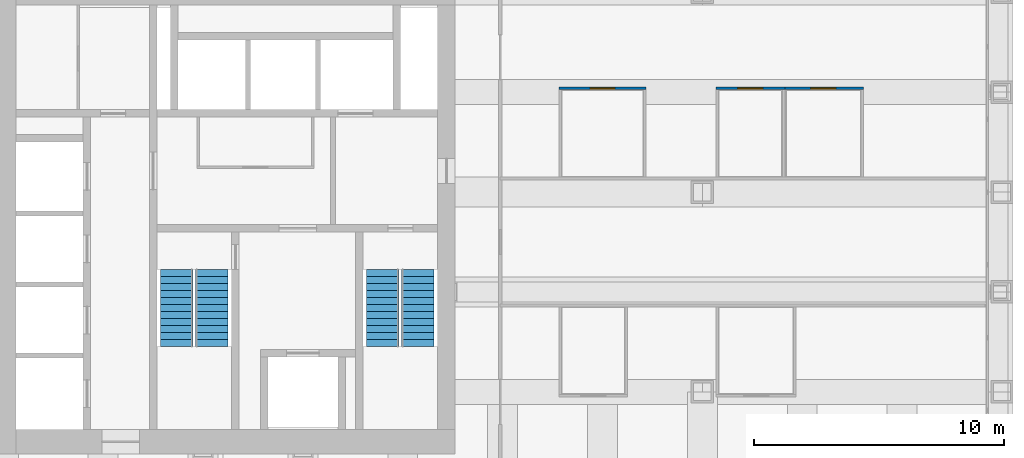
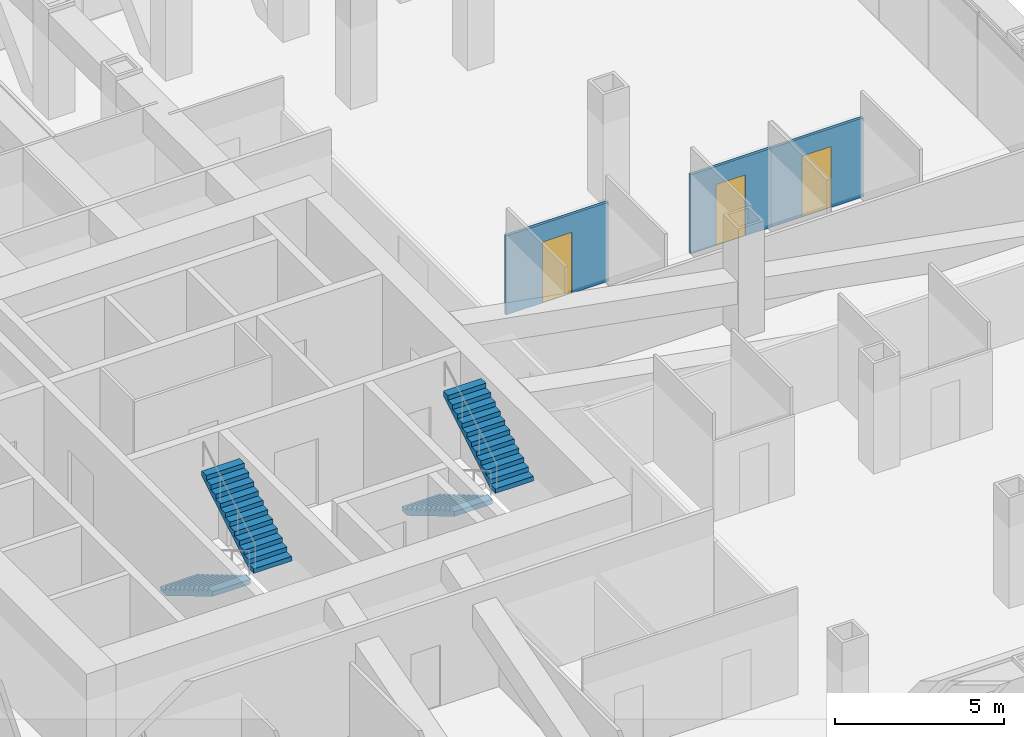
# One storey, part 15 of 18: 4 stair flights, 3 doors, 3 walls, 3 openings, 2 elements without a shape of their own.
"""IFC4 building model written with IfcOpenShell, lengths in metres."""

from ifc_helpers import new_model, si_unit, direction, frame, frame_2d, origin, place, context, subcontext, project, spatial, polyline, rectangle, outline, extrude, material, layer, layer_set, type_object, element, fill, aggregate, save


model = new_model("IFC4")

# Units and contexts
model_context = context("Model", 3, precision=1e-05, world=origin(), true_north=direction((0.0, 1.0)))
body_context = subcontext(model_context, "Body", "Model", "MODEL_VIEW")
ifc_project = project(units=[si_unit("LENGTHUNIT", "METRE"), si_unit("AREAUNIT", "SQUARE_METRE"), si_unit("VOLUMEUNIT", "CUBIC_METRE"), si_unit("PLANEANGLEUNIT", "RADIAN"), si_unit("MASSUNIT", "GRAM", prefix="KILO")], contexts=[model_context])

# Site, building, storey
site_placement = place(None, origin())
site = spatial("IfcSite", under=ifc_project, at=site_placement, CompositionType="ELEMENT")
building_placement = place(site_placement, origin())
building = spatial("IfcBuilding", under=site, at=building_placement, Name="Rimbunsela Tower", CompositionType="ELEMENT")
storey_placement = place(building_placement, frame((0.0, 0.0, 105.39990234375)))
storey = spatial("IfcBuildingStorey", under=building, at=storey_placement, Name="L25", CompositionType="ELEMENT", Elevation=105.39990234375)

# Wall, opening, door
ifc_material_1 = material(Name="Gypsum board on steel studs", Category="steel")
ifc_layer = layer(ifc_material_1, 0.10009765625)
ifc_layer_set = layer_set([ifc_layer], Name="Office partition 100")
wall_type = type_object("IfcWallType", Name="Office partition 100", PredefinedType="PARTITIONING", material=ifc_layer_set)
wall_1_placement = place(storey_placement, frame((40.25, 32.14990234375, 0.0), z_axis=(0.0, 0.0, 1.0), x_axis=(1.0, 0.0, 0.0)))
wall_1 = element("IfcWall", 1, at=wall_1_placement, inside=storey, type_object=wall_type, Name="Office partition", PredefinedType="PARTITIONING", context=body_context, shape_type="SweptSolid", body=[
    extrude(rectangle(XDim=3.5, YDim=0.10009765625, at=frame_2d((1.75, 0.0))), origin(), (0.0, 0.0, 1.0), 2.85009765625),
])
opening_1_placement = place(wall_1_placement, frame((1.25, 0.0, 0.0)))
opening_1 = element("IfcOpeningElement", 2, at=opening_1_placement, cuts=wall_1, Name="Opening D16", PredefinedType="OPENING", context=body_context, shape_type="SweptSolid", body=[
    extrude(rectangle(XDim=1.0, YDim=2.199951171875, at=frame_2d((0.5, 1.10009765625))), frame((0.0, 0.06005859375, 0.0), z_axis=(0.0, -1.0, 0.0), x_axis=(1.0, 0.0, 0.0)), (0.0, 0.0, 1.0), 0.1201171875),
])
ifc_material_2 = material(Name="Timber door", Category="wood")
door_type = type_object("IfcDoorType", Name="Office door 1000", OperationType="SINGLE_SWING_LEFT", PredefinedType="DOOR", material=ifc_material_2)
door_1_placement = place(opening_1_placement, origin())
door_1 = element("IfcDoor", 3, at=door_1_placement, inside=storey, type_object=door_type, Name="Office door", OperationType="SINGLE_SWING_LEFT", OverallHeight=2.199951171875, OverallWidth=1.0, PredefinedType="DOOR", context=body_context, shape_type="SweptSolid", body=[
    extrude(rectangle(XDim=1.0, YDim=2.199951171875, at=frame_2d((0.5, 1.10009765625))), frame((0.0, 0.02490234375, 0.0), z_axis=(0.0, -1.0, 0.0), x_axis=(1.0, 0.0, 0.0)), (0.0, 0.0, 1.0), 0.050048828125),
])
fill(opening_1, door_1)

wall_2_placement = place(storey_placement, frame((46.550048828125, 32.14990234375, 0.0), z_axis=(0.0, 0.0, 1.0), x_axis=(1.0, 0.0, 0.0)))
wall_2 = element("IfcWall", 4, at=wall_2_placement, inside=storey, type_object=wall_type, Name="Office partition", PredefinedType="PARTITIONING", context=body_context, shape_type="SweptSolid", body=[
    extrude(rectangle(XDim=2.75, YDim=0.10009765625, at=frame_2d((1.375, 0.0))), origin(), (0.0, 0.0, 1.0), 2.85009765625),
])
opening_2_placement = place(wall_2_placement, frame((0.875, 0.0, 0.0)))
opening_2 = element("IfcOpeningElement", 5, at=opening_2_placement, cuts=wall_2, Name="Opening D16", PredefinedType="OPENING", context=body_context, shape_type="SweptSolid", body=[
    extrude(rectangle(XDim=1.0, YDim=2.199951171875, at=frame_2d((0.5, 1.10009765625))), frame((0.0, 0.06005859375, 0.0), z_axis=(0.0, -1.0, 0.0), x_axis=(1.0, 0.0, 0.0)), (0.0, 0.0, 1.0), 0.1201171875),
])
door_2_placement = place(opening_2_placement, origin())
door_2 = element("IfcDoor", 6, at=door_2_placement, inside=storey, type_object=door_type, Name="Office door", OperationType="SINGLE_SWING_LEFT", OverallHeight=2.199951171875, OverallWidth=1.0, PredefinedType="DOOR", context=body_context, shape_type="SweptSolid", body=[
    extrude(rectangle(XDim=1.0, YDim=2.199951171875, at=frame_2d((0.5, 1.10009765625))), frame((0.0, 0.02490234375, 0.0), z_axis=(0.0, -1.0, 0.0), x_axis=(1.0, 0.0, 0.0)), (0.0, 0.0, 1.0), 0.050048828125),
])
fill(opening_2, door_2)

wall_3_placement = place(storey_placement, frame((49.25, 32.14990234375, 0.0), z_axis=(0.0, 0.0, 1.0), x_axis=(1.0, 0.0, 0.0)))
wall_3 = element("IfcWall", 7, at=wall_3_placement, inside=storey, type_object=wall_type, Name="Office partition", PredefinedType="PARTITIONING", context=body_context, shape_type="SweptSolid", body=[
    extrude(rectangle(XDim=3.199951171875, YDim=0.10009765625, at=frame_2d((1.60009765625, 0.0))), origin(), (0.0, 0.0, 1.0), 2.85009765625),
])
opening_3_placement = place(wall_3_placement, frame((1.10009765625, 0.0, 0.0)))
opening_3 = element("IfcOpeningElement", 8, at=opening_3_placement, cuts=wall_3, Name="Opening D16", PredefinedType="OPENING", context=body_context, shape_type="SweptSolid", body=[
    extrude(rectangle(XDim=1.0, YDim=2.199951171875, at=frame_2d((0.5, 1.10009765625))), frame((0.0, 0.06005859375, 0.0), z_axis=(0.0, -1.0, 0.0), x_axis=(1.0, 0.0, 0.0)), (0.0, 0.0, 1.0), 0.1201171875),
])
door_3_placement = place(opening_3_placement, origin())
door_3 = element("IfcDoor", 9, at=door_3_placement, inside=storey, type_object=door_type, Name="Office door", OperationType="SINGLE_SWING_LEFT", OverallHeight=2.199951171875, OverallWidth=1.0, PredefinedType="DOOR", context=body_context, shape_type="SweptSolid", body=[
    extrude(rectangle(XDim=1.0, YDim=2.199951171875, at=frame_2d((0.5, 1.10009765625))), frame((0.0, 0.02490234375, 0.0), z_axis=(0.0, -1.0, 0.0), x_axis=(1.0, 0.0, 0.0)), (0.0, 0.0, 1.0), 0.050048828125),
])
fill(opening_3, door_3)

# Stair, stair flights
ifc_material_3 = material(Name="Concrete fc' 35 MPa", Category="concrete")
stair_type = type_object("IfcStairType", Name="Exit stair 24 risers", PredefinedType="HALF_TURN_STAIR", material=ifc_material_3)
stair_1_placement = place(storey_placement, origin())
stair_1 = element("IfcStair", 10, at=stair_1_placement, inside=storey, type_object=stair_type, Name="Exit stair A L25", PredefinedType="HALF_TURN_STAIR")
ifc_material_4 = material(Name="Concrete fc' 35 MPa", Category="concrete")
stair_flight_type = type_object("IfcStairFlightType", Name="Stair flight 12 risers 167", PredefinedType="STRAIGHT", material=ifc_material_4)
stair_flight_1_placement = place(storey_placement, frame((24.949951171875, 24.89990234375, 0.0), z_axis=(0.0, 0.0, 1.0), x_axis=(0.0, -1.0, 0.0)))
stair_flight_1 = element("IfcStairFlight", 11, at=stair_flight_1_placement, type_object=stair_flight_type, Name="ST-A flight 1", NumberOfRisers=12, NumberOfTreads=11, PredefinedType="STRAIGHT", RiserHeight=0.166666667, TreadLength=0.28, context=body_context, shape_type="SweptSolid", body=[
    extrude(outline(polyline([(0.0, 0.0), (0.0, 0.166748046875), (0.280029296875, 0.166748046875), (0.280029296875, 0.333251953125), (0.56005859375, 0.333251953125), (0.56005859375, 0.5), (0.840087890625, 0.5), (0.840087890625, 0.666748046875), (1.1201171875, 0.666748046875), (1.1201171875, 0.833251953125), (1.39990234375, 0.833251953125), (1.39990234375, 1.0), (1.679931640625, 1.0), (1.679931640625, 1.166748046875), (1.9599609375, 1.166748046875), (1.9599609375, 1.333251953125), (2.239990234375, 1.333251953125), (2.239990234375, 1.5), (2.52001953125, 1.5), (2.52001953125, 1.666748046875), (2.800048828125, 1.666748046875), (2.800048828125, 1.833251953125), (3.080078125, 1.833251953125), (3.080078125, 2.0), (3.080078125, 1.658935546875), (0.29296875, 0.0), (0.0, 0.0)])), frame((0.0, 0.64990234375, 0.0), z_axis=(0.0, -1.0, 0.0), x_axis=(1.0, 0.0, 0.0)), (0.0, 0.0, 1.0), 1.300048828125),
])
stair_flight_2_placement = place(storey_placement, frame((26.35009765625, 21.820068359375, 2.0), z_axis=(0.0, 0.0, 1.0), x_axis=(0.0, 1.0, 0.0)))
stair_flight_2 = element("IfcStairFlight", 12, at=stair_flight_2_placement, type_object=stair_flight_type, Name="ST-A flight 2", NumberOfRisers=12, NumberOfTreads=11, PredefinedType="STRAIGHT", RiserHeight=0.166666667, TreadLength=0.28, context=body_context, shape_type="SweptSolid", body=[
    extrude(outline(polyline([(0.0, 0.0), (0.0, 0.166748046875), (0.280029296875, 0.166748046875), (0.280029296875, 0.333251953125), (0.56005859375, 0.333251953125), (0.56005859375, 0.5), (0.840087890625, 0.5), (0.840087890625, 0.666748046875), (1.1201171875, 0.666748046875), (1.1201171875, 0.833251953125), (1.39990234375, 0.833251953125), (1.39990234375, 1.0), (1.679931640625, 1.0), (1.679931640625, 1.166748046875), (1.9599609375, 1.166748046875), (1.9599609375, 1.333251953125), (2.239990234375, 1.333251953125), (2.239990234375, 1.5), (2.52001953125, 1.5), (2.52001953125, 1.666748046875), (2.800048828125, 1.666748046875), (2.800048828125, 1.833251953125), (3.080078125, 1.833251953125), (3.080078125, 2.0), (3.080078125, 1.658935546875), (0.29296875, 0.0), (0.0, 0.0)])), frame((0.0, 0.64990234375, 0.0), z_axis=(0.0, -1.0, 0.0), x_axis=(1.0, 0.0, 0.0)), (0.0, 0.0, 1.0), 1.300048828125),
])
aggregate(stair_1, [stair_flight_1, stair_flight_2])

stair_2_placement = place(storey_placement, origin())
stair_2 = element("IfcStair", 13, at=stair_2_placement, inside=storey, type_object=stair_type, Name="Exit stair B L25", PredefinedType="HALF_TURN_STAIR")
stair_flight_3_placement = place(storey_placement, frame((33.199951171875, 24.89990234375, 0.0), z_axis=(0.0, 0.0, 1.0), x_axis=(0.0, -1.0, 0.0)))
stair_flight_3 = element("IfcStairFlight", 14, at=stair_flight_3_placement, type_object=stair_flight_type, Name="ST-B flight 1", NumberOfRisers=12, NumberOfTreads=11, PredefinedType="STRAIGHT", RiserHeight=0.166666667, TreadLength=0.28, context=body_context, shape_type="SweptSolid", body=[
    extrude(outline(polyline([(0.0, 0.0), (0.0, 0.166748046875), (0.280029296875, 0.166748046875), (0.280029296875, 0.333251953125), (0.56005859375, 0.333251953125), (0.56005859375, 0.5), (0.840087890625, 0.5), (0.840087890625, 0.666748046875), (1.1201171875, 0.666748046875), (1.1201171875, 0.833251953125), (1.39990234375, 0.833251953125), (1.39990234375, 1.0), (1.679931640625, 1.0), (1.679931640625, 1.166748046875), (1.9599609375, 1.166748046875), (1.9599609375, 1.333251953125), (2.239990234375, 1.333251953125), (2.239990234375, 1.5), (2.52001953125, 1.5), (2.52001953125, 1.666748046875), (2.800048828125, 1.666748046875), (2.800048828125, 1.833251953125), (3.080078125, 1.833251953125), (3.080078125, 2.0), (3.080078125, 1.658935546875), (0.29296875, 0.0), (0.0, 0.0)])), frame((0.0, 0.64990234375, 0.0), z_axis=(0.0, -1.0, 0.0), x_axis=(1.0, 0.0, 0.0)), (0.0, 0.0, 1.0), 1.300048828125),
])
stair_flight_4_placement = place(storey_placement, frame((34.60009765625, 21.820068359375, 2.0), z_axis=(0.0, 0.0, 1.0), x_axis=(0.0, 1.0, 0.0)))
stair_flight_4 = element("IfcStairFlight", 15, at=stair_flight_4_placement, type_object=stair_flight_type, Name="ST-B flight 2", NumberOfRisers=12, NumberOfTreads=11, PredefinedType="STRAIGHT", RiserHeight=0.166666667, TreadLength=0.28, context=body_context, shape_type="SweptSolid", body=[
    extrude(outline(polyline([(0.0, 0.0), (0.0, 0.166748046875), (0.280029296875, 0.166748046875), (0.280029296875, 0.333251953125), (0.56005859375, 0.333251953125), (0.56005859375, 0.5), (0.840087890625, 0.5), (0.840087890625, 0.666748046875), (1.1201171875, 0.666748046875), (1.1201171875, 0.833251953125), (1.39990234375, 0.833251953125), (1.39990234375, 1.0), (1.679931640625, 1.0), (1.679931640625, 1.166748046875), (1.9599609375, 1.166748046875), (1.9599609375, 1.333251953125), (2.239990234375, 1.333251953125), (2.239990234375, 1.5), (2.52001953125, 1.5), (2.52001953125, 1.666748046875), (2.800048828125, 1.666748046875), (2.800048828125, 1.833251953125), (3.080078125, 1.833251953125), (3.080078125, 2.0), (3.080078125, 1.658935546875), (0.29296875, 0.0), (0.0, 0.0)])), frame((0.0, 0.64990234375, 0.0), z_axis=(0.0, -1.0, 0.0), x_axis=(1.0, 0.0, 0.0)), (0.0, 0.0, 1.0), 1.300048828125),
])
aggregate(stair_2, [stair_flight_3, stair_flight_4])

save(model, "model.ifc")
